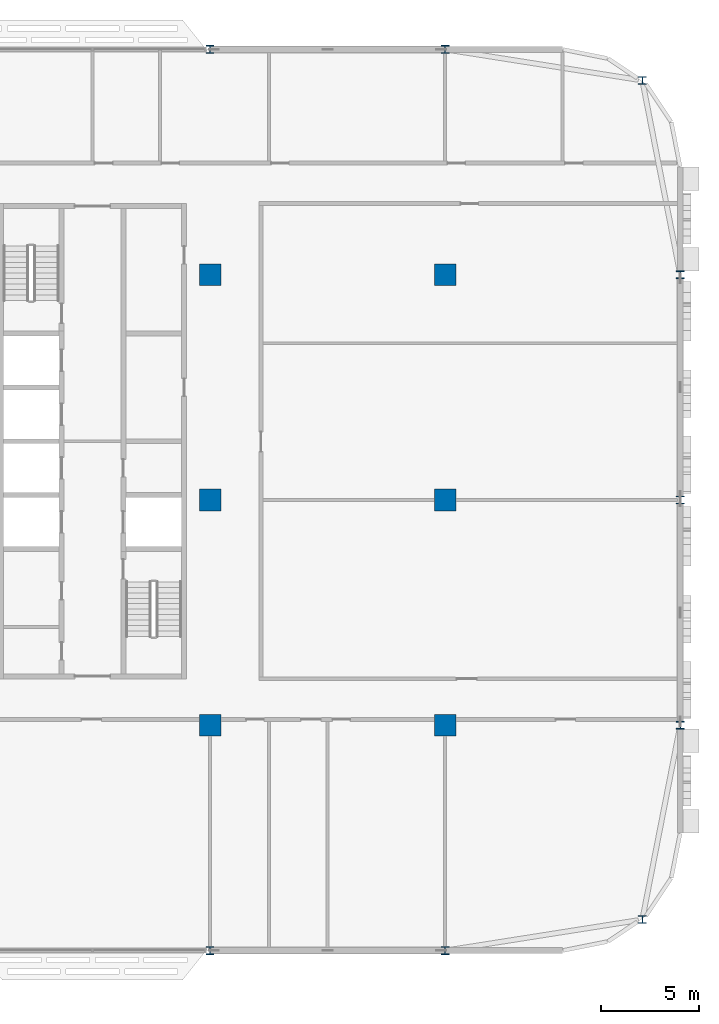
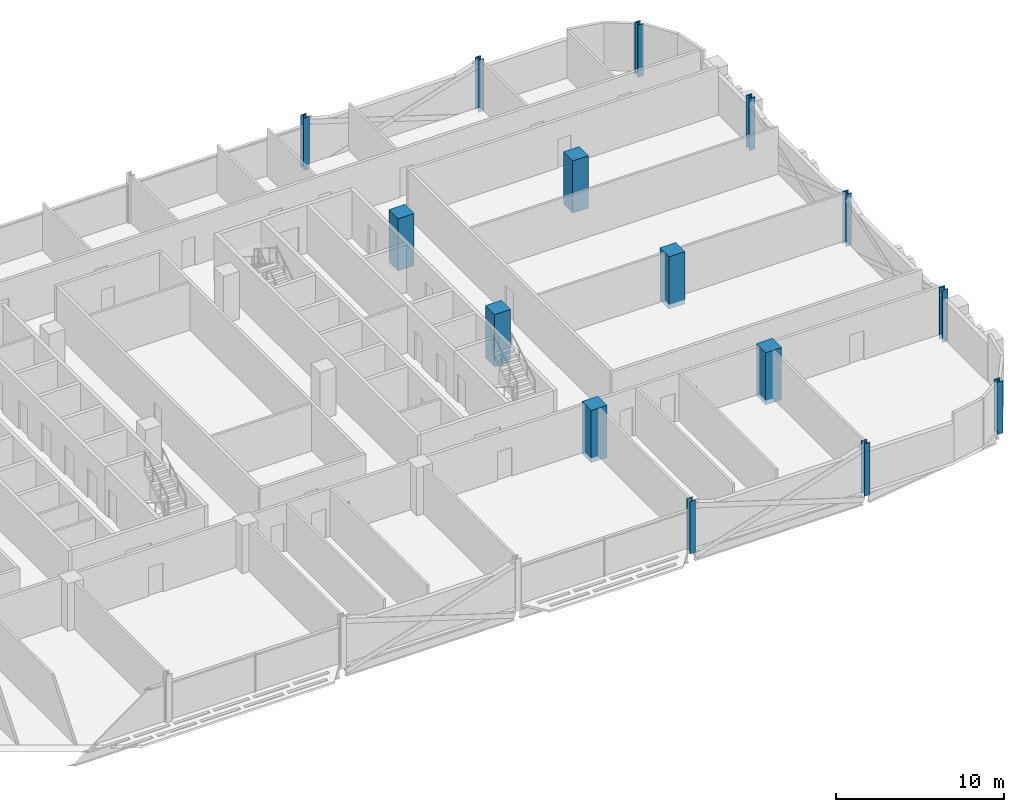
# One storey, part 3 of 30: 15 columns.
"""IFC4 building model written with IfcOpenShell, lengths in metres."""

from ifc_helpers import new_model, si_unit, direction, frame, origin, origin_2d, place, context, subcontext, project, spatial, rectangle, i_section, extrude, material, material_profile, profile_set, type_object, element, save


model = new_model("IFC4")

# Units and contexts
model_context = context("Model", 3, precision=1e-05, world=origin(), true_north=direction((0.0, 1.0)))
body_context = subcontext(model_context, "Body", "Model", "MODEL_VIEW")
ifc_project = project(units=[si_unit("LENGTHUNIT", "METRE"), si_unit("AREAUNIT", "SQUARE_METRE"), si_unit("VOLUMEUNIT", "CUBIC_METRE"), si_unit("PLANEANGLEUNIT", "RADIAN"), si_unit("MASSUNIT", "GRAM", prefix="KILO")], contexts=[model_context])

# Site, building, storey
site_placement = place(None, origin())
site = spatial("IfcSite", under=ifc_project, at=site_placement, CompositionType="ELEMENT")
building_placement = place(site_placement, origin())
building = spatial("IfcBuilding", under=site, at=building_placement, Name="Mahtab Terrace Research Tower", CompositionType="ELEMENT")
storey_placement = place(building_placement, frame((0.0, 0.0, 212.89990234375)))
storey = spatial("IfcBuildingStorey", under=building, at=storey_placement, Name="L51", CompositionType="ELEMENT", Elevation=212.89990234375)

# Columns
ifc_material_1 = material(Name="Concrete C70/85", Category="concrete")
ifc_material_profile_1 = material_profile(ifc_material_1, rectangle(XDim=1.10009765625, YDim=1.10009765625, at=origin_2d()), Name="RC column 1100x1100")
ifc_profile_set_1 = profile_set([ifc_material_profile_1], Name="Concrete C70/85")
column_type_1 = type_object("IfcColumnType", Name="RC column 1100x1100", PredefinedType="COLUMN", material=ifc_profile_set_1)
for number, where, z_axis, x_axis, name in (
    (1, (30.0, -11.5, -0.33984375), (0.0, 0.0, 1.0), (1.0, 0.0, 0.0), "Column RC-7A L51"),
    (2, (30.0, 0.0, -0.33984375), (0.0, 0.0, 1.0), (1.0, 0.0, 0.0), "Column RC-7B L51"),
    (3, (30.0, 11.5, -0.33984375), (0.0, 0.0, 1.0), (1.0, 0.0, 0.0), "Column RC-7C L51"),
    (4, (42.0, -11.5, -0.33984375), (0.0, 0.0, 1.0), (1.0, 0.0, 0.0), "Column RC-8A L51"),
    (5, (42.0, 0.0, -0.33984375), (0.0, 0.0, 1.0), (1.0, 0.0, 0.0), "Column RC-8B L51"),
    (6, (42.0, 11.5, -0.33984375), (0.0, 0.0, 1.0), (1.0, 0.0, 0.0), "Column RC-8C L51"),
):
    element("IfcColumn", number, at=place(storey_placement, frame(where, z_axis=z_axis, x_axis=x_axis)), inside=storey, type_object=column_type_1, Name=name, PredefinedType="COLUMN", context=body_context, shape_type="SweptSolid", body=[
        extrude(rectangle(XDim=1.10009765625, YDim=1.10009765625, at=origin_2d()), origin(), (0.0, 0.0, 1.0), 3.800048828125),
    ])
ifc_material_2 = material(Name="Steel ASTM A992 Gr 50", Category="steel")
ifc_material_profile_2 = material_profile(ifc_material_2, i_section(OverallWidth=0.4013671875, OverallDepth=0.398681640625, WebThickness=0.02490234375, FlangeThickness=0.03955078125, at=origin_2d()), Name="W14X211")
ifc_profile_set_2 = profile_set([ifc_material_profile_2], Name="Steel ASTM A992 Gr 50")
column_type_2 = type_object("IfcColumnType", Name="W14x211 column CS14211", PredefinedType="COLUMN", material=ifc_profile_set_2)
for number, where, z_axis, x_axis, name in (
    (7, (52.06201171875, 21.416015625, -0.33984375), (0.0, 0.0, 1.0), (1.0, 0.0, 0.0), "Column SC-023 L51"),
    (8, (42.0, 23.0, -0.33984375), (0.0, 0.0, 1.0), (1.0, 0.0, 0.0), "Column SC-001 L51"),
    (9, (30.0, 23.0, -0.33984375), (0.0, 0.0, 1.0), (1.0, 0.0, 0.0), "Column SC-002 L51"),
    (10, (30.0, -23.0, -0.33984375), (0.0, 0.0, 1.0), (1.0, 0.0, 0.0), "Column SC-018 L51"),
    (11, (42.0, -23.0, -0.33984375), (0.0, 0.0, 1.0), (1.0, 0.0, 0.0), "Column SC-019 L51"),
    (12, (52.06201171875, -21.416015625, -0.33984375), (0.0, 0.0, 1.0), (1.0, 0.0, 0.0), "Column SC-026 L51"),
    (13, (54.0, -11.5, -0.33984375), (0.0, 0.0, 1.0), (1.0, 0.0, 0.0), "Column SC-027 L51"),
    (14, (54.0, 0.0, -0.33984375), (0.0, 0.0, 1.0), (1.0, 0.0, 0.0), "Column SC-028 L51"),
    (15, (54.0, 11.5, -0.33984375), (0.0, 0.0, 1.0), (1.0, 0.0, 0.0), "Column SC-029 L51"),
):
    element("IfcColumn", number, at=place(storey_placement, frame(where, z_axis=z_axis, x_axis=x_axis)), inside=storey, type_object=column_type_2, Name=name, PredefinedType="COLUMN", context=body_context, shape_type="SweptSolid", body=[
        extrude(i_section(OverallWidth=0.4013671875, OverallDepth=0.398681640625, WebThickness=0.02490234375, FlangeThickness=0.03955078125, at=origin_2d()), origin(), (0.0, 0.0, 1.0), 3.800048828125),
    ])

save(model, "model.ifc")
